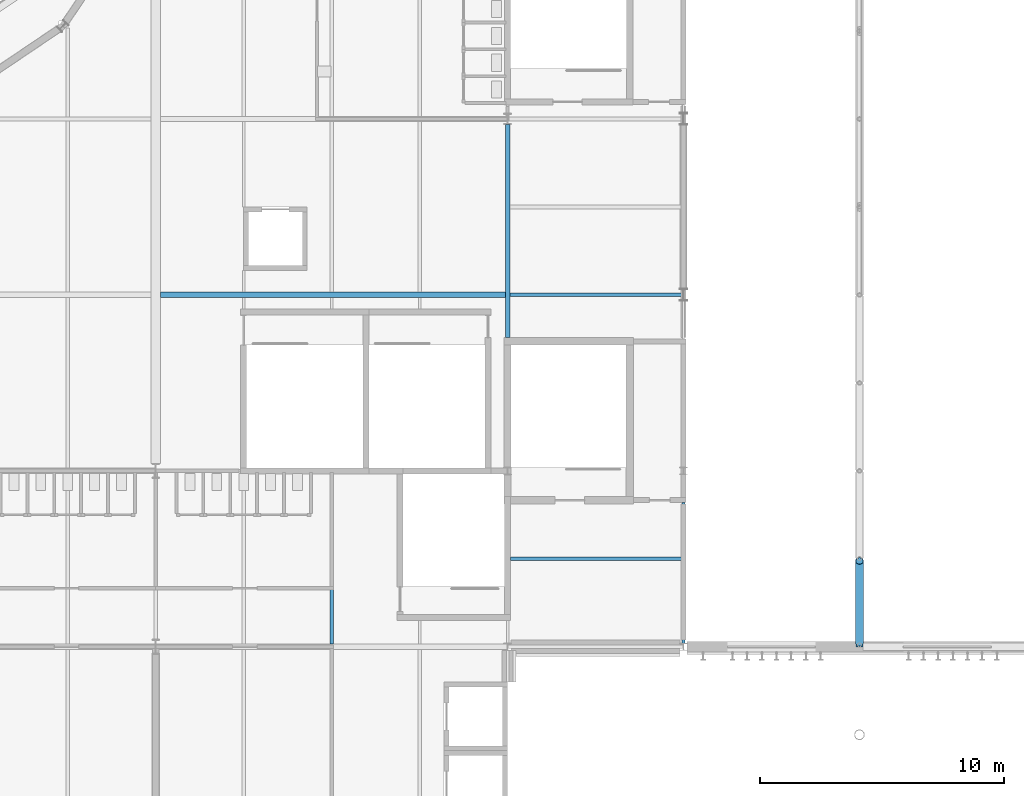
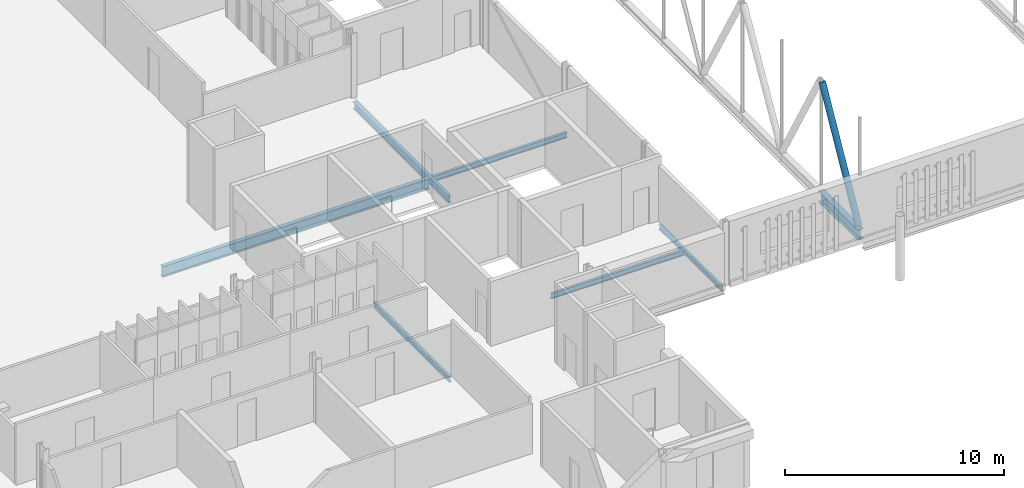
# One storey, part 31 of 142: 6 beams, 2 members.
"""IFC4 building model written with IfcOpenShell, lengths in metres."""

from ifc_helpers import new_model, si_unit, direction, frame, origin, origin_2d, place, context, subcontext, project, spatial, hollow_circle, i_section, extrude, material, material_profile, profile_set, type_object, element, save


model = new_model("IFC4")

# Units and contexts
model_context = context("Model", 3, precision=1e-05, world=origin(), true_north=direction((0.0, 1.0)))
body_context = subcontext(model_context, "Body", "Model", "MODEL_VIEW")
ifc_project = project(units=[si_unit("LENGTHUNIT", "METRE"), si_unit("AREAUNIT", "SQUARE_METRE"), si_unit("VOLUMEUNIT", "CUBIC_METRE"), si_unit("PLANEANGLEUNIT", "RADIAN"), si_unit("MASSUNIT", "GRAM", prefix="KILO")], contexts=[model_context])

# Site, building, storey
site_placement = place(None, origin())
site = spatial("IfcSite", under=ifc_project, at=site_placement, CompositionType="ELEMENT")
building_placement = place(site_placement, origin())
building = spatial("IfcBuilding", under=site, at=building_placement, Name="Kupolbacken Congress Centre", CompositionType="ELEMENT")
storey_placement = place(building_placement, frame((0.0, 0.0, 14.39990234375)))
storey = spatial("IfcBuildingStorey", under=building, at=storey_placement, Name="L04", CompositionType="ELEMENT", Elevation=14.39990234375)

# Beams
ifc_material_1 = material(Name="Steel S355", Category="steel")
ifc_material_profile_1 = material_profile(ifc_material_1, i_section(OverallWidth=0.135009765625, OverallDepth=0.27001953125, WebThickness=0.006591796875, FlangeThickness=0.01025390625, FilletRadius=0.014892578125, at=origin_2d()), Name="IPE 270")
ifc_profile_set_1 = profile_set([ifc_material_profile_1], Name="Steel S355")
beam_type_1 = type_object("IfcBeamType", Name="B03 beam IPE 270", PredefinedType="BEAM", material=ifc_profile_set_1)
beam_1_placement = place(storey_placement, frame((86.39990234375, 43.344970703125, -0.31494140625), z_axis=(0.0, 1.0, 0.0), x_axis=(-1.0, 0.0, 0.0)))
element("IfcBeam", 1, at=beam_1_placement, inside=storey, type_object=beam_type_1, Name="S/floor/LINK/L04/E001", PredefinedType="BEAM", context=body_context, shape_type="SweptSolid", body=[
    extrude(i_section(OverallWidth=0.135009765625, OverallDepth=0.27001953125, WebThickness=0.006591796875, FlangeThickness=0.01025390625, FilletRadius=0.014892578125, at=origin_2d()), origin(), (0.0, 0.0, 1.0), 5.755126953125),
])
ifc_material_2 = material(Name="Steel S355", Category="steel")
ifc_material_profile_2 = material_profile(ifc_material_2, i_section(OverallWidth=0.14990234375, OverallDepth=0.300048828125, WebThickness=0.007080078125, FlangeThickness=0.0107421875, FilletRadius=0.014892578125, at=origin_2d()), Name="IPE 300")
ifc_profile_set_2 = profile_set([ifc_material_profile_2], Name="Steel S355")
beam_type_2 = type_object("IfcBeamType", Name="B04 beam IPE 300", PredefinedType="BEAM", material=ifc_profile_set_2)
beam_2_placement = place(storey_placement, frame((72.0, 43.31005859375, -0.329833984375), z_axis=(0.0, 1.0, 0.0), x_axis=(-1.0, 0.0, 0.0)))
element("IfcBeam", 2, at=beam_2_placement, inside=storey, type_object=beam_type_2, Name="S/floor/F/L04/S080", PredefinedType="BEAM", context=body_context, shape_type="SweptSolid", body=[
    extrude(i_section(OverallWidth=0.14990234375, OverallDepth=0.300048828125, WebThickness=0.007080078125, FlangeThickness=0.0107421875, FilletRadius=0.014892578125, at=origin_2d()), origin(), (0.0, 0.0, 1.0), 6.96484375),
])
beam_3_placement = place(storey_placement, frame((79.324951171875, 46.800048828125, -0.329833984375), z_axis=(1.0, 0.0, 0.0), x_axis=(0.0, 1.0, 0.0)))
element("IfcBeam", 3, at=beam_3_placement, inside=storey, type_object=beam_type_2, Name="S/floor/LINK/L04/R011", PredefinedType="BEAM", context=body_context, shape_type="SweptSolid", body=[
    extrude(i_section(OverallWidth=0.14990234375, OverallDepth=0.300048828125, WebThickness=0.007080078125, FlangeThickness=0.0107421875, FilletRadius=0.014892578125, at=origin_2d()), origin(), (0.0, 0.0, 1.0), 7.007568359375),
])
beam_4_placement = place(storey_placement, frame((79.2900390625, 57.60009765625, -0.329833984375), z_axis=(1.0, 0.0, 0.0), x_axis=(0.0, 1.0, 0.0)))
element("IfcBeam", 4, at=beam_4_placement, inside=storey, type_object=beam_type_2, Name="S/floor/LINK/L04/R012", PredefinedType="BEAM", context=body_context, shape_type="SweptSolid", body=[
    extrude(i_section(OverallWidth=0.14990234375, OverallDepth=0.300048828125, WebThickness=0.007080078125, FlangeThickness=0.0107421875, FilletRadius=0.014892578125, at=origin_2d()), origin(), (0.0, 0.0, 1.0), 7.10400390625),
])
ifc_material_3 = material(Name="Steel S355", Category="steel")
ifc_material_profile_3 = material_profile(ifc_material_3, i_section(OverallWidth=0.179931640625, OverallDepth=0.39990234375, WebThickness=0.008544921875, FlangeThickness=0.013427734375, FilletRadius=0.02099609375, at=origin_2d()), Name="IPE 400")
ifc_profile_set_3 = profile_set([ifc_material_profile_3], Name="Steel S355")
beam_type_3 = type_object("IfcBeamType", Name="B07 beam IPE 400", PredefinedType="BEAM", material=ifc_profile_set_3)
beam_5_placement = place(storey_placement, frame((79.199951171875, 55.85009765625, -0.3798828125), z_axis=(0.0, 1.0, 0.0), x_axis=(-1.0, 0.0, 0.0)))
element("IfcBeam", 5, at=beam_5_placement, inside=storey, type_object=beam_type_3, Name="S/floor/P/L04/G032", PredefinedType="BEAM", context=body_context, shape_type="SweptSolid", body=[
    extrude(i_section(OverallWidth=0.179931640625, OverallDepth=0.39990234375, WebThickness=0.008544921875, FlangeThickness=0.013427734375, FilletRadius=0.02099609375, at=origin_2d()), origin(), (0.0, 0.0, 1.0), 8.724853515625),
])
ifc_material_4 = material(Name="Steel S355", Category="steel")
ifc_material_profile_4 = material_profile(ifc_material_4, i_section(OverallWidth=0.219970703125, OverallDepth=0.60009765625, WebThickness=0.011962890625, FlangeThickness=0.01904296875, FilletRadius=0.02392578125, at=origin_2d()), Name="IPE 600")
ifc_profile_set_4 = profile_set([ifc_material_profile_4], Name="Steel S355")
beam_type_4 = type_object("IfcBeamType", Name="B11 beam IPE 600", PredefinedType="BEAM", material=ifc_profile_set_4)
beam_6_placement = place(storey_placement, frame((65.0, 57.60009765625, -0.47998046875), z_axis=(1.0, 0.0, 0.0), x_axis=(0.0, 1.0, 0.0)))
element("IfcBeam", 6, at=beam_6_placement, inside=storey, type_object=beam_type_4, Name="S/floor/P/L04/R042", PredefinedType="BEAM", context=body_context, shape_type="SweptSolid", body=[
    extrude(i_section(OverallWidth=0.219970703125, OverallDepth=0.60009765625, WebThickness=0.011962890625, FlangeThickness=0.01904296875, FilletRadius=0.02392578125, at=origin_2d()), origin(), (0.0, 0.0, 1.0), 14.110107421875),
])

# Members
ifc_material_5 = material(Name="Steel S355", Category="steel")
ifc_material_profile_5 = material_profile(ifc_material_5, i_section(OverallWidth=0.300048828125, OverallDepth=0.60009765625, WebThickness=0.015380859375, FlangeThickness=0.030029296875, FilletRadius=0.027099609375, at=origin_2d()), Name="HEB 600")
ifc_profile_set_5 = profile_set([ifc_material_profile_5], Name="Steel S355")
member_type_1 = type_object("IfcMemberType", Name="M02 transfer truss chord HEB 600", PredefinedType="CHORD", material=ifc_profile_set_5)
member_1_placement = place(storey_placement, frame((93.60009765625, 43.199951171875, 0.2900390625), z_axis=(0.0, 1.0, 0.0), x_axis=(-1.0, 0.0, 0.0)))
element("IfcMember", 7, at=member_1_placement, inside=storey, type_object=member_type_1, Name="HT/T1/BC01", PredefinedType="CHORD", context=body_context, shape_type="SweptSolid", body=[
    extrude(i_section(OverallWidth=0.300048828125, OverallDepth=0.60009765625, WebThickness=0.015380859375, FlangeThickness=0.030029296875, FilletRadius=0.027099609375, at=origin_2d()), origin(), (0.0, 0.0, 1.0), 3.60009765625),
])
ifc_material_6 = material(Name="Steel S355", Category="steel")
ifc_material_profile_6 = material_profile(ifc_material_6, hollow_circle(Radius=0.161865234375, WallThickness=0.012451171875, at=origin_2d()), Name="CHS 323.9 x 12.5")
ifc_profile_set_6 = profile_set([ifc_material_profile_6], Name="Steel S355")
member_type_2 = type_object("IfcMemberType", Name="M04 transfer truss web CHS 323.9 x 12.5", PredefinedType="BRACE", material=ifc_profile_set_6)
member_2_placement = place(storey_placement, frame((93.60009765625, 43.368408203125, 0.6572265625), z_axis=(0.0, 0.485009080024, 0.874509115043), x_axis=(-1.0, 0.0, 0.0)))
element("IfcMember", 8, at=member_2_placement, inside=storey, type_object=member_type_2, Name="HT/T1/D01", PredefinedType="BRACE", context=body_context, shape_type="SweptSolid", body=[
    extrude(hollow_circle(Radius=0.161865234375, WallThickness=0.012451171875, at=origin_2d()), origin(), (0.0, 0.0, 1.0), 6.90185546875),
])

save(model, "model.ifc")
